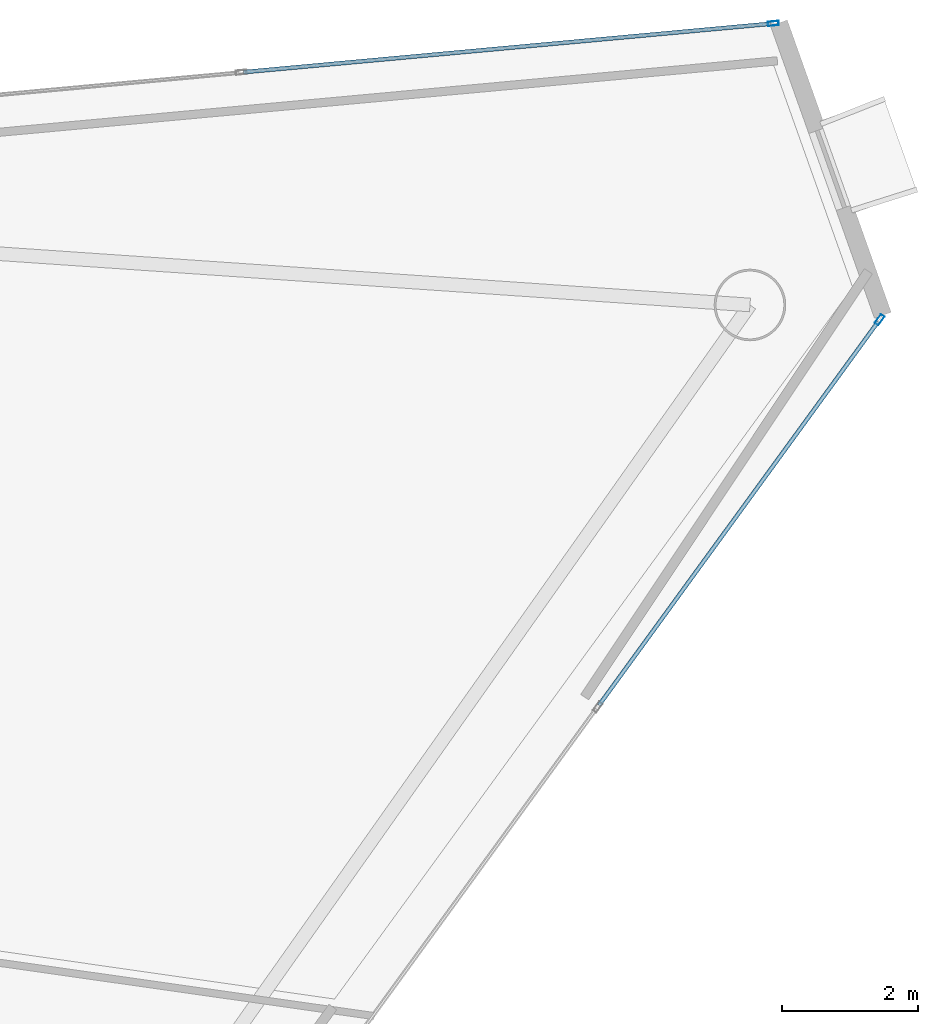
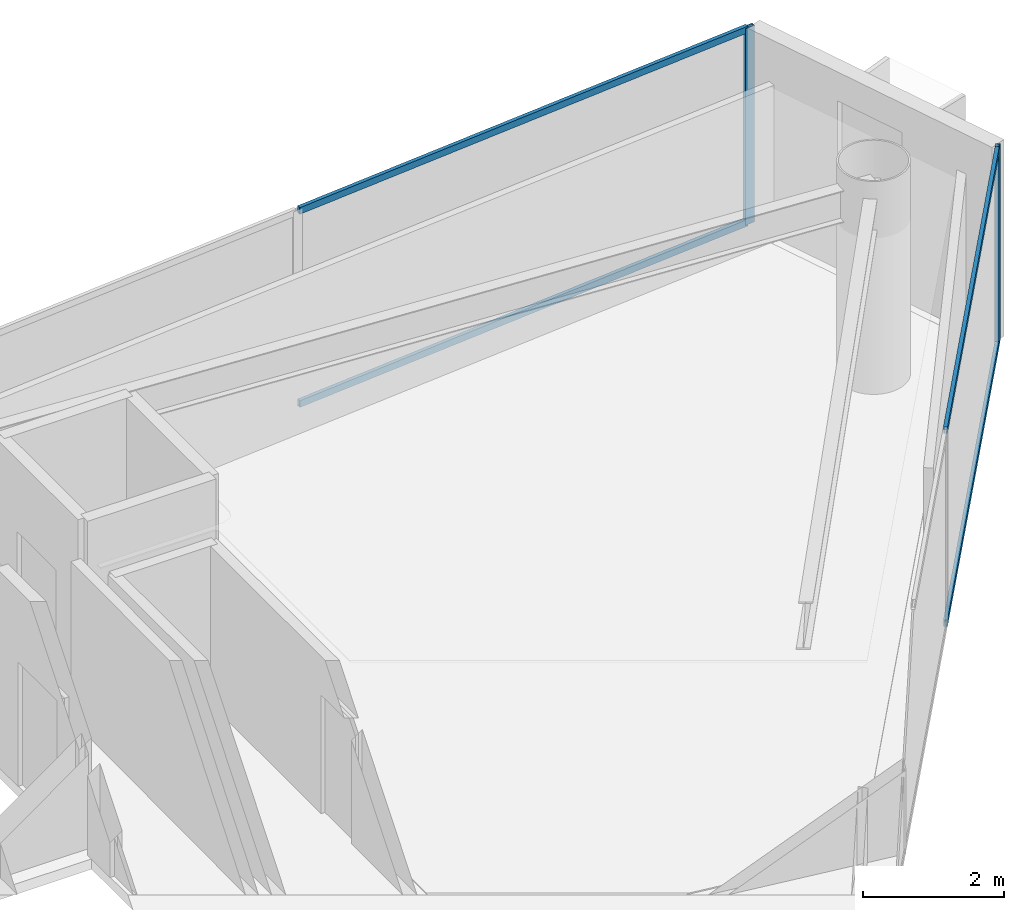
# One storey, part 15 of 21: 6 members, 2 elements without a shape of their own.
"""IFC4 building model written with IfcOpenShell, lengths in metres."""

from ifc_helpers import new_model, si_unit, direction, frame, origin, origin_2d, place, context, subcontext, project, spatial, hollow_rectangle, extrude, material, layer, layer_set, material_profile, profile_set, type_object, element, aggregate, save


model = new_model("IFC4")

# Units and contexts
model_context = context("Model", 3, precision=1e-05, world=origin(), true_north=direction((0.0, 1.0)))
body_context = subcontext(model_context, "Body", "Model", "MODEL_VIEW")
ifc_project = project(units=[si_unit("LENGTHUNIT", "METRE"), si_unit("AREAUNIT", "SQUARE_METRE"), si_unit("VOLUMEUNIT", "CUBIC_METRE"), si_unit("PLANEANGLEUNIT", "RADIAN"), si_unit("MASSUNIT", "GRAM", prefix="KILO")], contexts=[model_context])

# Site, building, storey
site_placement = place(None, origin())
site = spatial("IfcSite", under=ifc_project, at=site_placement, CompositionType="ELEMENT")
building_placement = place(site_placement, origin())
building = spatial("IfcBuilding", under=site, at=building_placement, Name="Qianvela Tower", CompositionType="ELEMENT")
storey_placement = place(building_placement, frame((0.0, 0.0, 272.300048828125)))
storey = spatial("IfcBuildingStorey", under=building, at=storey_placement, Name="L70", CompositionType="ELEMENT", Elevation=272.300048828125)

# Curtain wall, member
ifc_material_1 = material(Name="Anodised Architectural Aluminium and Low-E Glass", Category="aluminium")
ifc_layer = layer(ifc_material_1, 0.159912109375)
ifc_layer_set = layer_set([ifc_layer], Name="Anodised Architectural Aluminium and Low-E Glass")
curtain_wall_type = type_object("IfcCurtainWallType", Name="CW-COLIV-Z56", PredefinedType="USERDEFINED", material=ifc_layer_set)
curtain_wall_1_placement = place(storey_placement, origin())
curtain_wall_1 = element("IfcCurtainWall", 1, at=curtain_wall_1_placement, inside=storey, type_object=curtain_wall_type, Name="L70 CW-COLIV-Z56 Curtain Wall 02A", ObjectType="CURTAIN_WALL_SYSTEM", PredefinedType="USERDEFINED")
ifc_material_2 = material(Name="Anodised Architectural Aluminium 6063-T6", Category="aluminium")
ifc_material_profile_1 = material_profile(ifc_material_2, hollow_rectangle(XDim=0.06494140625, YDim=0.159912109375, WallThickness=0.0048828125, at=origin_2d()), Name="ALU-MULL-65x160")
ifc_profile_set_1 = profile_set([ifc_material_profile_1], Name="Anodised Architectural Aluminium 6063-T6")
member_type_1 = type_object("IfcMemberType", Name="CW-COLIV-Z56-MULL", PredefinedType="MULLION", material=ifc_profile_set_1)
member_1_placement = place(storey_placement, frame((55.67431640625, 38.734130859375, 0.0), z_axis=(0.0, 0.0, 1.0), x_axis=(0.091448806675, -0.995809778902, 0.0)))
member_1 = element("IfcMember", 2, at=member_1_placement, type_object=member_type_1, Name="CW-5 mullion 1", PredefinedType="MULLION", context=body_context, shape_type="SweptSolid", body=[
    extrude(hollow_rectangle(XDim=0.06494140625, YDim=0.159912109375, WallThickness=0.0048828125, at=origin_2d()), origin(), (0.0, 0.0, 1.0), 3.39990234375),
])

curtain_wall_2_placement = place(storey_placement, origin())
curtain_wall_2 = element("IfcCurtainWall", 3, at=curtain_wall_2_placement, inside=storey, type_object=curtain_wall_type, Name="L70 CW-COLIV-Z56 Curtain Wall 06C", ObjectType="CURTAIN_WALL_SYSTEM", PredefinedType="USERDEFINED")
member_2_placement = place(storey_placement, frame((57.232666015625, 34.387939453125, 0.0), z_axis=(0.0, 0.0, 1.0), x_axis=(-0.808533557419, 0.588450071398, 0.0)))
member_2 = element("IfcMember", 4, at=member_2_placement, type_object=member_type_1, Name="CW-5 mullion 3", PredefinedType="MULLION", context=body_context, shape_type="SweptSolid", body=[
    extrude(hollow_rectangle(XDim=0.06494140625, YDim=0.159912109375, WallThickness=0.0048828125, at=origin_2d()), origin(), (0.0, 0.0, 1.0), 3.39990234375),
])

# Member
ifc_material_3 = material(Name="Anodised Architectural Aluminium 6063-T6", Category="aluminium")
ifc_material_profile_2 = material_profile(ifc_material_3, hollow_rectangle(XDim=0.06005859375, YDim=0.114990234375, WallThickness=0.00390625, at=origin_2d()), Name="ALU-TRAN-60x115")
ifc_profile_set_2 = profile_set([ifc_material_profile_2], Name="Anodised Architectural Aluminium 6063-T6")
member_type_2 = type_object("IfcMemberType", Name="CW-COLIV-Z56-TRAN", PredefinedType="USERDEFINED", material=ifc_profile_set_2)
member_3_placement = place(storey_placement, frame((55.64208984375, 38.73095703125, 0.030029296875), z_axis=(-0.99581092566, -0.091436318474, 0.0), x_axis=(0.091436318474, -0.99581092566, 0.0)))
member_3 = element("IfcMember", 5, at=member_3_placement, type_object=member_type_2, Name="CW-5 transom 1.1", ObjectType="TRANSOM", PredefinedType="USERDEFINED", context=body_context, shape_type="SweptSolid", body=[
    extrude(hollow_rectangle(XDim=0.06005859375, YDim=0.114990234375, WallThickness=0.00390625, at=origin_2d()), origin(), (0.0, 0.0, 1.0), 7.7724609375),
])

member_4_placement = place(storey_placement, frame((55.64208984375, 38.73095703125, 3.369873046875), z_axis=(-0.99581092566, -0.091436318474, 0.0), x_axis=(0.091436318474, -0.99581092566, 0.0)))
member_4 = element("IfcMember", 6, at=member_4_placement, type_object=member_type_2, Name="CW-5 transom 1.2", ObjectType="TRANSOM", PredefinedType="USERDEFINED", context=body_context, shape_type="SweptSolid", body=[
    extrude(hollow_rectangle(XDim=0.06005859375, YDim=0.114990234375, WallThickness=0.00390625, at=origin_2d()), origin(), (0.0, 0.0, 1.0), 7.7724609375),
])

aggregate(curtain_wall_1, [member_1, member_3, member_4])

member_5_placement = place(storey_placement, frame((53.117431640625, 28.7333984375, 0.030029296875), z_axis=(0.58845110731, 0.808532803482, 0.0), x_axis=(-0.808532803482, 0.58845110731, 0.0)))
member_5 = element("IfcMember", 7, at=member_5_placement, type_object=member_type_2, Name="CW-5 transom 2.1", ObjectType="TRANSOM", PredefinedType="USERDEFINED", context=body_context, shape_type="SweptSolid", body=[
    extrude(hollow_rectangle(XDim=0.06005859375, YDim=0.114990234375, WallThickness=0.00390625, at=origin_2d()), origin(), (0.0, 0.0, 1.0), 6.9609375),
])

member_6_placement = place(storey_placement, frame((53.117431640625, 28.7333984375, 3.369873046875), z_axis=(0.58845110731, 0.808532803482, 0.0), x_axis=(-0.808532803482, 0.58845110731, 0.0)))
member_6 = element("IfcMember", 8, at=member_6_placement, type_object=member_type_2, Name="CW-5 transom 2.2", ObjectType="TRANSOM", PredefinedType="USERDEFINED", context=body_context, shape_type="SweptSolid", body=[
    extrude(hollow_rectangle(XDim=0.06005859375, YDim=0.114990234375, WallThickness=0.00390625, at=origin_2d()), origin(), (0.0, 0.0, 1.0), 6.9609375),
])

aggregate(curtain_wall_2, [member_2, member_5, member_6])

save(model, "model.ifc")
